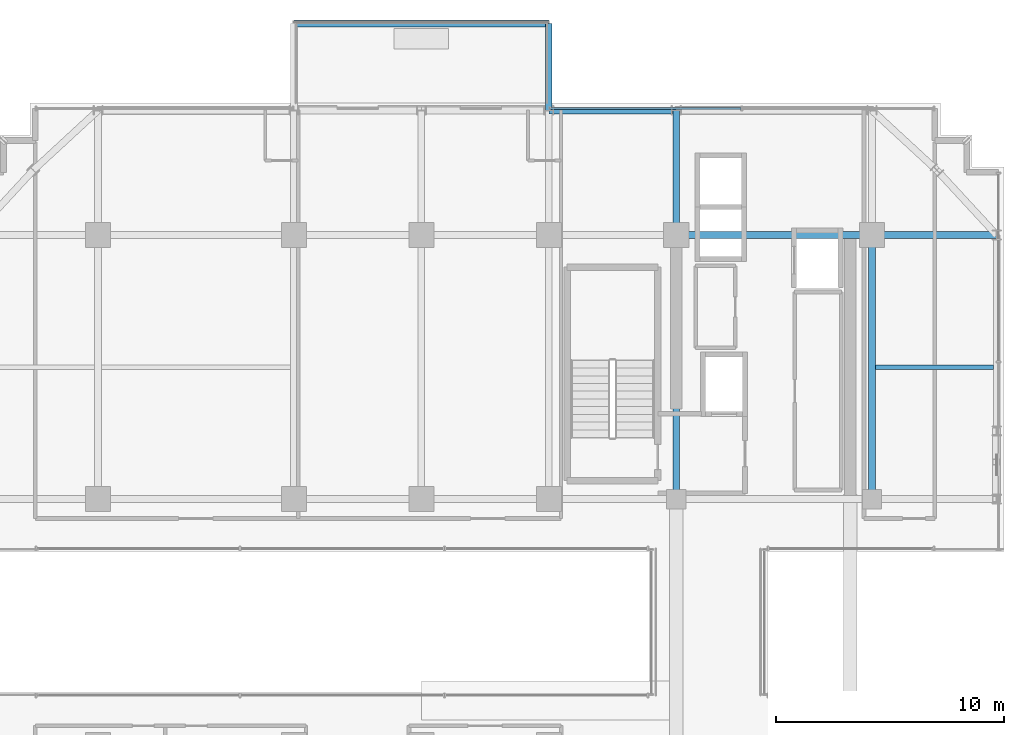
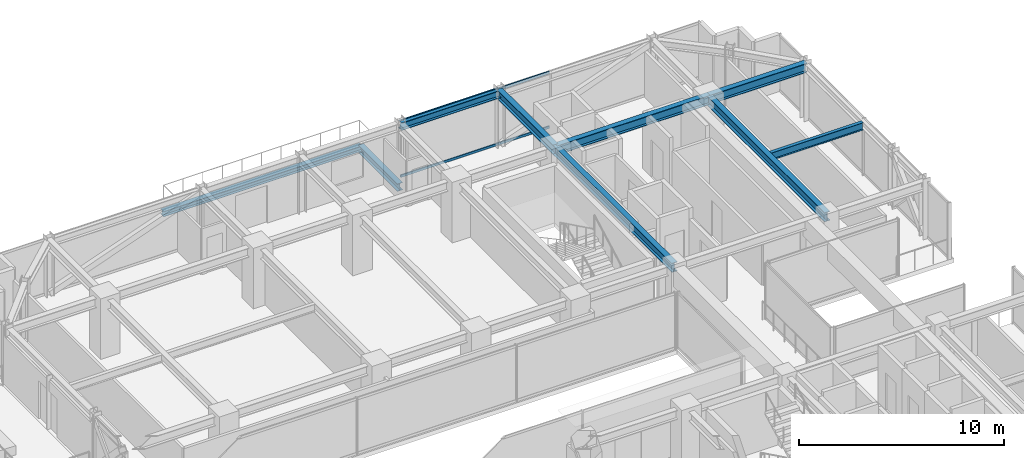
# One storey, part 27 of 43: 9 beams, 2 members, 1 element without a shape of its own.
"""IFC4 building model written with IfcOpenShell, lengths in metres."""

from ifc_helpers import new_model, si_unit, direction, frame, origin, origin_2d, place, context, subcontext, project, spatial, hollow_rectangle, i_section, extrude, source, transform, mapped, material, material_profile, profile_set, type_object, element, aggregate, save


model = new_model("IFC4")

# Units and contexts
model_context = context("Model", 3, precision=1e-05, world=origin(), true_north=direction((0.0, 1.0)))
body_context = subcontext(model_context, "Body", "Model", "MODEL_VIEW")
ifc_project = project(units=[si_unit("LENGTHUNIT", "METRE"), si_unit("AREAUNIT", "SQUARE_METRE"), si_unit("VOLUMEUNIT", "CUBIC_METRE"), si_unit("PLANEANGLEUNIT", "RADIAN"), si_unit("MASSUNIT", "GRAM", prefix="KILO")], contexts=[model_context])

# Site, building, storey
site_placement = place(None, origin())
site = spatial("IfcSite", under=ifc_project, at=site_placement, CompositionType="ELEMENT")
building_placement = place(site_placement, origin())
building = spatial("IfcBuilding", under=site, at=building_placement, Name="Nahalor Promenade Grand Hotel", CompositionType="ELEMENT")
storey_placement = place(building_placement, frame((0.0, 0.0, 181.85009765625)))
storey = spatial("IfcBuildingStorey", under=building, at=storey_placement, Name="L46", CompositionType="ELEMENT", Elevation=181.85009765625)

# Beams
ifc_material_1 = material(Name="Steel S355JR", Category="steel")
ifc_material_profile_1 = material_profile(ifc_material_1, i_section(OverallWidth=0.3, OverallDepth=0.32, WebThickness=0.0115, FlangeThickness=0.0205, at=origin_2d()), Name="HEB 320")
ifc_profile_set_1 = profile_set([ifc_material_profile_1], Name="Steel S355JR")
beam_type_1 = type_object("IfcBeamType", Name="Beam-BalcEdge-HEB320", PredefinedType="SPANDREL", material=ifc_profile_set_1)
shared_shape_1 = source(origin(), body_context, "Body", "SweptSolid", [
    extrude(i_section(OverallWidth=0.3, OverallDepth=0.32, WebThickness=0.0115, FlangeThickness=0.0205, at=origin_2d()), origin(), (0.0, 0.0, 1.0), 11.199951171875),
])
beam_1_placement = place(storey_placement, frame((-8.39990234375, 26.300048828125, -0.440185546875), z_axis=(1.0, 0.0, 0.0), x_axis=(0.0, 1.0, 0.0)))
element("IfcBeam", 1, at=beam_1_placement, inside=storey, type_object=beam_type_1, Name="BM-L46-BC-01-F", PredefinedType="SPANDREL", context=body_context, shape_type="MappedRepresentation", body=[
    mapped(shared_shape_1, transform((0.0, 0.0, 0.0), scale=1.0)),
])
ifc_material_profile_2 = material_profile(ifc_material_1, i_section(OverallWidth=0.3, OverallDepth=0.45, WebThickness=0.014, FlangeThickness=0.026, at=origin_2d()), Name="HEB 450")
ifc_profile_set_2 = profile_set([ifc_material_profile_2], Name="Steel S355JR")
beam_type_2 = type_object("IfcBeamType", Name="Beam-Outrigger-HEB450", PredefinedType="BEAM", material=ifc_profile_set_2)
shared_shape_2 = source(origin(), body_context, "Body", "SweptSolid", [
    extrude(i_section(OverallWidth=0.3, OverallDepth=0.45, WebThickness=0.014, FlangeThickness=0.026, at=origin_2d()), origin(), (0.0, 0.0, 1.0), 3.820068359375),
])
beam_2_placement = place(storey_placement, frame((2.800048828125, 22.47998046875, -0.505126953125), z_axis=(0.0, 1.0, 0.0), x_axis=(-1.0, 0.0, 0.0)))
element("IfcBeam", 2, at=beam_2_placement, inside=storey, type_object=beam_type_2, Name="BM-L46-BC-01-2", PredefinedType="BEAM", context=body_context, shape_type="MappedRepresentation", body=[
    mapped(shared_shape_2, transform((0.0, 0.0, 0.0), scale=1.0)),
])
ifc_material_profile_3 = material_profile(ifc_material_1, i_section(OverallWidth=0.3, OverallDepth=0.55, WebThickness=0.015, FlangeThickness=0.029, at=origin_2d()), Name="HEB 550")
ifc_profile_set_3 = profile_set([ifc_material_profile_3], Name="Steel S355JR")
beam_type_3 = type_object("IfcBeamType", Name="Beam-Girder-HEB550", PredefinedType="BEAM", material=ifc_profile_set_3)
shared_shape_3 = source(origin(), body_context, "Body", "SweptSolid", [
    extrude(i_section(OverallWidth=0.3, OverallDepth=0.55, WebThickness=0.015, FlangeThickness=0.029, at=origin_2d()), origin(), (0.0, 0.0, 1.0), 8.60009765625),
])
beam_3_placement = place(storey_placement, frame((8.39990234375, 17.0, 3.114990234375), z_axis=(1.0, 0.0, 0.0), x_axis=(0.0, 1.0, 0.0)))
element("IfcBeam", 3, at=beam_3_placement, inside=storey, type_object=beam_type_3, Name="BM-L46-GX-3-5", PredefinedType="BEAM", context=body_context, shape_type="MappedRepresentation", body=[
    mapped(shared_shape_3, transform((0.0, 0.0, 0.0), scale=1.0)),
])
shared_shape_4 = source(origin(), body_context, "Body", "SweptSolid", [
    extrude(i_section(OverallWidth=0.3, OverallDepth=0.55, WebThickness=0.015, FlangeThickness=0.029, at=origin_2d()), origin(), (0.0, 0.0, 1.0), 11.60009765625),
])
for number, where, z_axis, x_axis, name in (
    (4, (8.39990234375, 5.39990234375, 3.114990234375), (0.0, 1.0, 0.0), (-1.0, 0.0, 0.0), "BM-L46-GY-4-3"),
    (5, (17.0, 5.39990234375, 3.114990234375), (0.0, 1.0, 0.0), (-1.0, 0.0, 0.0), "BM-L46-GY-5-3"),
):
    element("IfcBeam", number, at=place(storey_placement, frame(where, z_axis=z_axis, x_axis=x_axis)), inside=storey, type_object=beam_type_3, Name=name, PredefinedType="BEAM", context=body_context, shape_type="MappedRepresentation", body=[
        mapped(shared_shape_4, transform((0.0, 0.0, 0.0), scale=1.0)),
    ])
shared_shape_5 = source(origin(), body_context, "Body", "SweptSolid", [
    extrude(i_section(OverallWidth=0.3, OverallDepth=0.55, WebThickness=0.015, FlangeThickness=0.029, at=origin_2d()), origin(), (0.0, 0.0, 1.0), 5.47998046875),
])
for number, where, z_axis, x_axis, name in (
    (6, (17.0, 17.0, 3.114990234375), (1.0, 0.0, 0.0), (0.0, 1.0, 0.0), "BM-L46-GX-3-6"),
    (7, (8.39990234375, 17.0, 3.114990234375), (0.0, 1.0, 0.0), (-1.0, 0.0, 0.0), "BM-L46-GY-4-4"),
):
    element("IfcBeam", number, at=place(storey_placement, frame(where, z_axis=z_axis, x_axis=x_axis)), inside=storey, type_object=beam_type_3, Name=name, PredefinedType="BEAM", context=body_context, shape_type="MappedRepresentation", body=[
        mapped(shared_shape_5, transform((0.0, 0.0, 0.0), scale=1.0)),
    ])
ifc_material_profile_4 = material_profile(ifc_material_1, i_section(OverallWidth=0.19, OverallDepth=0.45, WebThickness=0.0094, FlangeThickness=0.0146, at=origin_2d()), Name="IPE 450")
ifc_profile_set_4 = profile_set([ifc_material_profile_4], Name="Steel S355JR")
beam_type_4 = type_object("IfcBeamType", Name="Beam-Joist-IPE450", PredefinedType="JOIST", material=ifc_profile_set_4)
shared_shape_6 = source(origin(), body_context, "Body", "SweptSolid", [
    extrude(i_section(OverallWidth=0.19, OverallDepth=0.45, WebThickness=0.0094, FlangeThickness=0.0146, at=origin_2d()), origin(), (0.0, 0.0, 1.0), 5.18017578125),
])
beam_4_placement = place(storey_placement, frame((17.14990234375, 11.199951171875, 3.164794921875), z_axis=(1.0, 0.0, 0.0), x_axis=(0.0, 1.0, 0.0)))
element("IfcBeam", 8, at=beam_4_placement, inside=storey, type_object=beam_type_4, Name="BM-L46-JSE-1-2", PredefinedType="JOIST", context=body_context, shape_type="MappedRepresentation", body=[
    mapped(shared_shape_6, transform((0.0, 0.0, 0.0), scale=1.0)),
])
ifc_material_profile_5 = material_profile(ifc_material_1, i_section(OverallWidth=0.3, OverallDepth=0.45, WebThickness=0.014, FlangeThickness=0.026, at=origin_2d()), Name="HEB 450")
ifc_profile_set_5 = profile_set([ifc_material_profile_5], Name="Steel S355JR")
beam_type_5 = type_object("IfcBeamType", Name="Beam-Spandrel-HEB450", PredefinedType="SPANDREL", material=ifc_profile_set_5)
shared_shape_7 = source(origin(), body_context, "Body", "SweptSolid", [
    extrude(i_section(OverallWidth=0.3, OverallDepth=0.45, WebThickness=0.014, FlangeThickness=0.026, at=origin_2d()), origin(), (0.0, 0.0, 1.0), 5.599853515625),
])
beam_5_placement = place(storey_placement, frame((2.800048828125, 22.47998046875, 3.164794921875), z_axis=(1.0, 0.0, 0.0), x_axis=(0.0, 1.0, 0.0)))
element("IfcBeam", 9, at=beam_5_placement, inside=storey, type_object=beam_type_5, Name="BM-L46-SP-N-3", PredefinedType="SPANDREL", context=body_context, shape_type="MappedRepresentation", body=[
    mapped(shared_shape_7, transform((0.0, 0.0, 0.0), scale=1.0)),
])

# Curtain wall, members
ifc_material_2 = material(Name="Anodised Bronze Aluminium EN AW-6063 T6", Category="aluminium")
curtain_wall_type = type_object("IfcCurtainWallType", Name="CW3 Elliptical-Void Collar Unitised Curtain Wall", PredefinedType="USERDEFINED", material=ifc_material_2)
curtain_wall_placement = place(storey_placement, origin())
curtain_wall = element("IfcCurtainWall", 10, at=curtain_wall_placement, inside=storey, type_object=curtain_wall_type, Name="L46 Curtain Wall CW-L46-N-3", ObjectType="UNITISED_CURTAIN_WALL", PredefinedType="USERDEFINED")
ifc_material_profile_6 = material_profile(ifc_material_2, hollow_rectangle(XDim=0.07, YDim=0.14, WallThickness=0.004, at=origin_2d()), Name="CWT 70x140x4")
ifc_profile_set_6 = profile_set([ifc_material_profile_6], Name="Anodised Bronze Aluminium EN AW-6063 T6")
member_type = type_object("IfcMemberType", Name="CWT3 Void Collar Transom 70x140", PredefinedType="USERDEFINED", material=ifc_profile_set_6)
shared_shape_8 = source(origin(), body_context, "Body", "SweptSolid", [
    extrude(hollow_rectangle(XDim=0.07, YDim=0.14, WallThickness=0.004, at=origin_2d()), origin(), (0.0, 0.0, 1.0), 8.375),
])
member_1_placement = place(storey_placement, frame((2.8701171875, 22.56005859375, 0.06982421875), z_axis=(1.0, 0.0, 0.0), x_axis=(0.0, 1.0, 0.0)))
member_1 = element("IfcMember", 11, at=member_1_placement, type_object=member_type, Name="CW-L46-N-3 Transom 0-0", ObjectType="TRANSOM", PredefinedType="USERDEFINED", context=body_context, shape_type="MappedRepresentation", body=[
    mapped(shared_shape_8, transform((0.0, 0.0, 0.0), scale=1.0)),
])
member_2_placement = place(storey_placement, frame((2.8701171875, 22.56005859375, 3.31982421875), z_axis=(1.0, 0.0, 0.0), x_axis=(0.0, 1.0, 0.0)))
member_2 = element("IfcMember", 12, at=member_2_placement, type_object=member_type, Name="CW-L46-N-3 Transom 0-1", ObjectType="TRANSOM", PredefinedType="USERDEFINED", context=body_context, shape_type="MappedRepresentation", body=[
    mapped(shared_shape_8, transform((0.0, 0.0, 0.0), scale=1.0)),
])
aggregate(curtain_wall, [member_1, member_2])

save(model, "model.ifc")
